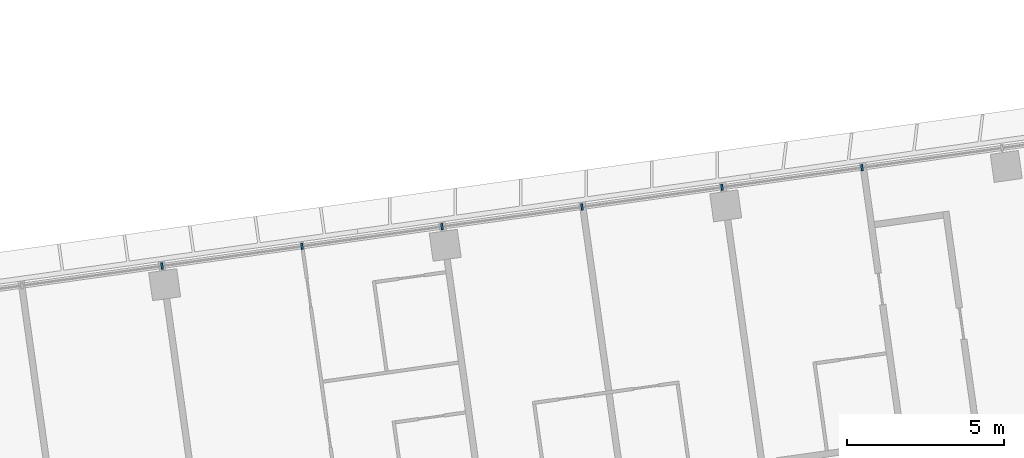
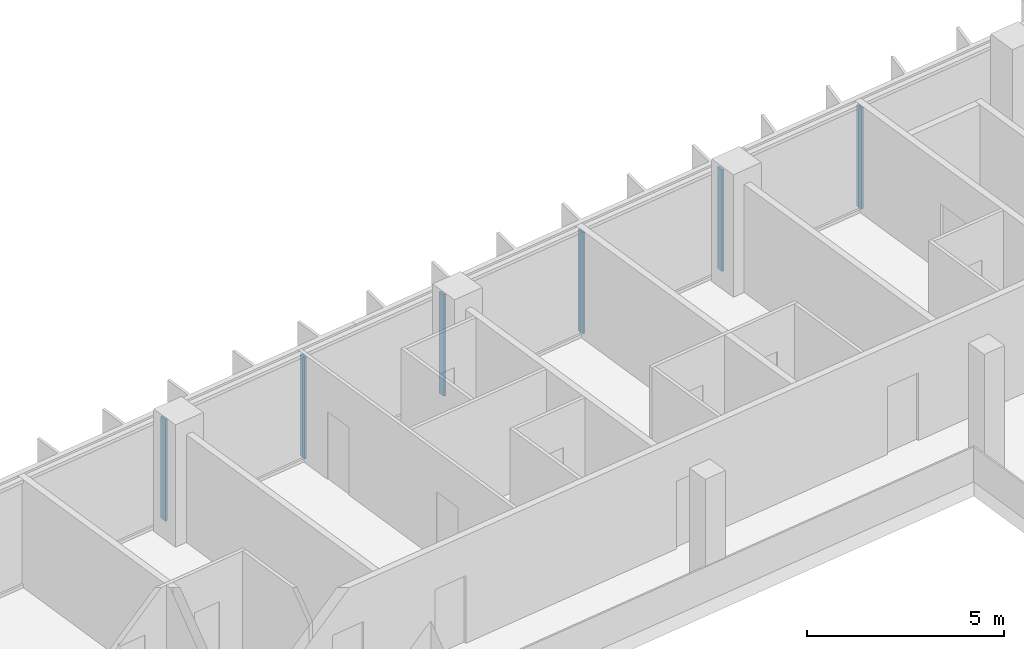
# One storey, part 10 of 24: 6 members, 1 element without a shape of its own.
"""IFC4 building model written with IfcOpenShell, lengths in metres."""

from ifc_helpers import new_model, si_unit, direction, frame, origin, origin_2d, place, context, subcontext, project, spatial, rectangle, extrude, material, material_profile, profile_set, type_object, element, aggregate, save


model = new_model("IFC4")

# Units and contexts
model_context = context("Model", 3, precision=1e-05, world=origin(), true_north=direction((0.0, 1.0)))
body_context = subcontext(model_context, "Body", "Model", "MODEL_VIEW")
ifc_project = project(units=[si_unit("LENGTHUNIT", "METRE"), si_unit("AREAUNIT", "SQUARE_METRE"), si_unit("VOLUMEUNIT", "CUBIC_METRE"), si_unit("PLANEANGLEUNIT", "RADIAN"), si_unit("MASSUNIT", "GRAM", prefix="KILO")], contexts=[model_context])

# Site, building, storey
site_placement = place(None, origin())
site = spatial("IfcSite", under=ifc_project, at=site_placement, CompositionType="ELEMENT")
building_placement = place(site_placement, origin())
building = spatial("IfcBuilding", under=site, at=building_placement, Name="Mirante Cascada Hotel Towers", CompositionType="ELEMENT")
storey_placement = place(building_placement, frame((0.0, 0.0, 110.1)))
storey = spatial("IfcBuildingStorey", under=building, at=storey_placement, Name="L24", CompositionType="ELEMENT", Elevation=110.1)

# Curtain wall, members
ifc_material_1 = material(Name="Aluminium mullion and transom frame with clear laminated glass", Category="aluminium")
curtain_wall_type = type_object("IfcCurtainWallType", Name="Ribbon curtain wall ECW1", PredefinedType="NOTDEFINED", material=ifc_material_1)
curtain_wall_placement = place(storey_placement, origin())
curtain_wall = element("IfcCurtainWall", 1, at=curtain_wall_placement, inside=storey, type_object=curtain_wall_type, Name="Front ribbon wall T2 L24", PredefinedType="NOTDEFINED")
ifc_material_2 = material(Name="Anodised aluminium extrusion", Category="aluminium")
ifc_material_profile = material_profile(ifc_material_2, rectangle(XDim=0.2, YDim=0.065, at=origin_2d()), Name="ECW1 MULLION 65x200")
ifc_profile_set = profile_set([ifc_material_profile], Name="Anodised aluminium extrusion")
member_type = type_object("IfcMemberType", Name="ECW1 mullion 65x200", PredefinedType="MULLION", material=ifc_profile_set)
member_1_placement = place(storey_placement, frame((85.2633, 24.802, 0.1), z_axis=(0.0, 0.0, 1.0), x_axis=(0.1391731, -0.9902681, 0.0)))
member_1 = element("IfcMember", 2, at=member_1_placement, type_object=member_type, Name="ECW1 mullion 3", PredefinedType="MULLION", context=body_context, shape_type="SweptSolid", body=[
    extrude(rectangle(XDim=0.2, YDim=0.065, at=origin_2d()), origin(), (0.0, 0.0, 1.0), 3.15),
])
member_2_placement = place(storey_placement, frame((80.8159, 24.177, 0.1), z_axis=(0.0, 0.0, 1.0), x_axis=(0.1391731, -0.9902681, 0.0)))
member_2 = element("IfcMember", 3, at=member_2_placement, type_object=member_type, Name="ECW1 mullion 4", PredefinedType="MULLION", context=body_context, shape_type="SweptSolid", body=[
    extrude(rectangle(XDim=0.2, YDim=0.065, at=origin_2d()), origin(), (0.0, 0.0, 1.0), 3.15),
])
member_3_placement = place(storey_placement, frame((76.3685, 23.5519, 0.1), z_axis=(0.0, 0.0, 1.0), x_axis=(0.1391731, -0.9902681, 0.0)))
member_3 = element("IfcMember", 4, at=member_3_placement, type_object=member_type, Name="ECW1 mullion 5", PredefinedType="MULLION", context=body_context, shape_type="SweptSolid", body=[
    extrude(rectangle(XDim=0.2, YDim=0.065, at=origin_2d()), origin(), (0.0, 0.0, 1.0), 3.15),
])
member_4_placement = place(storey_placement, frame((71.9211, 22.9269, 0.1), z_axis=(0.0, 0.0, 1.0), x_axis=(0.1391731, -0.9902681, 0.0)))
member_4 = element("IfcMember", 5, at=member_4_placement, type_object=member_type, Name="ECW1 mullion 6", PredefinedType="MULLION", context=body_context, shape_type="SweptSolid", body=[
    extrude(rectangle(XDim=0.2, YDim=0.065, at=origin_2d()), origin(), (0.0, 0.0, 1.0), 3.15),
])
member_5_placement = place(storey_placement, frame((67.4737, 22.3018, 0.1), z_axis=(0.0, 0.0, 1.0), x_axis=(0.1391731, -0.9902681, 0.0)))
member_5 = element("IfcMember", 6, at=member_5_placement, type_object=member_type, Name="ECW1 mullion 7", PredefinedType="MULLION", context=body_context, shape_type="SweptSolid", body=[
    extrude(rectangle(XDim=0.2, YDim=0.065, at=origin_2d()), origin(), (0.0, 0.0, 1.0), 3.15),
])
member_6_placement = place(storey_placement, frame((63.0262, 21.6768, 0.1), z_axis=(0.0, 0.0, 1.0), x_axis=(0.1391731, -0.9902681, 0.0)))
member_6 = element("IfcMember", 7, at=member_6_placement, type_object=member_type, Name="ECW1 mullion 8", PredefinedType="MULLION", context=body_context, shape_type="SweptSolid", body=[
    extrude(rectangle(XDim=0.2, YDim=0.065, at=origin_2d()), origin(), (0.0, 0.0, 1.0), 3.15),
])
aggregate(curtain_wall, [member_1, member_2, member_3, member_4, member_5, member_6])

save(model, "model.ifc")
